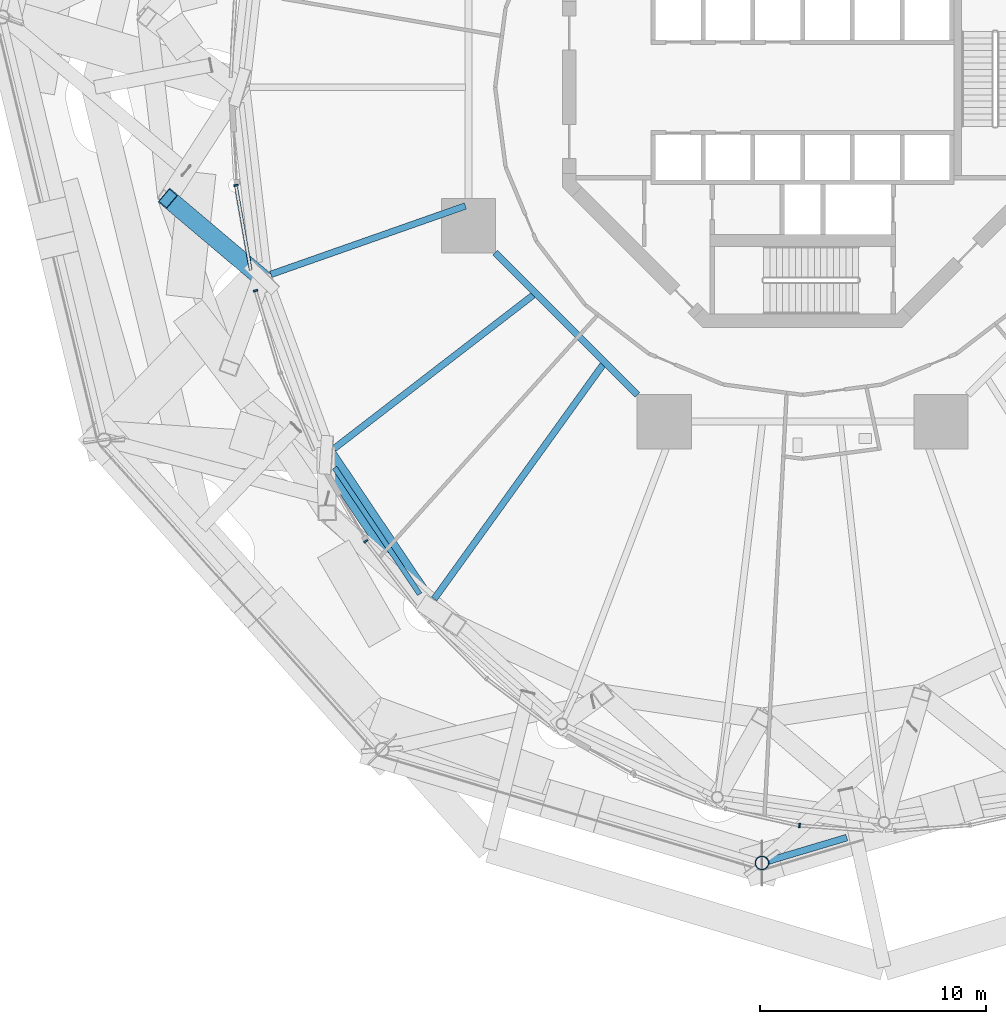
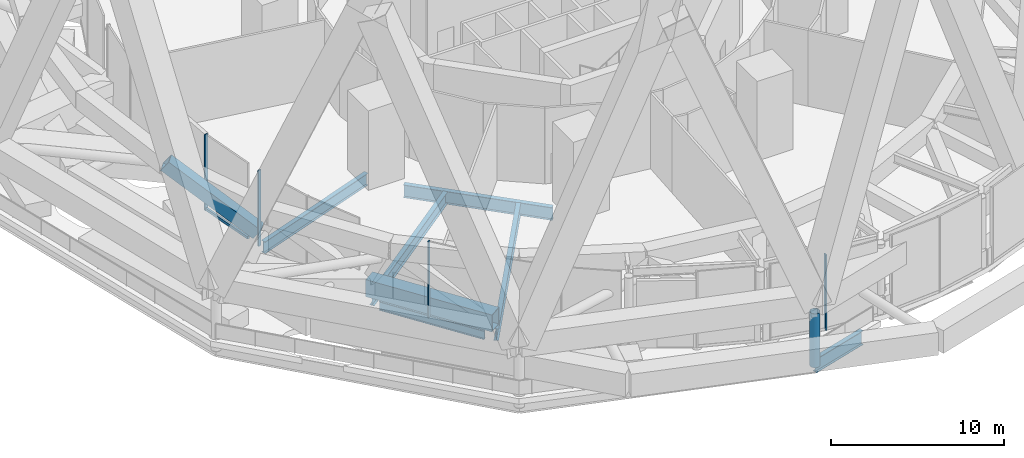
# One storey, part 7 of 51: 8 beams, 6 members, 4 elements without a shape of their own.
"""IFC4 building model written with IfcOpenShell, lengths in metres."""

from ifc_helpers import new_model, si_unit, direction, frame, origin, origin_2d, place, context, subcontext, project, spatial, rectangle, hollow_rectangle, hollow_circle, i_section, extrude, material, layer, layer_set, material_profile, profile_set, type_object, element, aggregate, save


model = new_model("IFC4")

# Units and contexts
model_context = context("Model", 3, precision=1e-05, world=origin(), true_north=direction((0.0, 1.0)))
body_context = subcontext(model_context, "Body", "Model", "MODEL_VIEW")
ifc_project = project(units=[si_unit("LENGTHUNIT", "METRE"), si_unit("AREAUNIT", "SQUARE_METRE"), si_unit("VOLUMEUNIT", "CUBIC_METRE"), si_unit("PLANEANGLEUNIT", "RADIAN"), si_unit("MASSUNIT", "GRAM", prefix="KILO")], contexts=[model_context])

# Site, building, storey
site_placement = place(None, origin())
site = spatial("IfcSite", under=ifc_project, at=site_placement, CompositionType="ELEMENT")
building_placement = place(site_placement, origin())
building = spatial("IfcBuilding", under=site, at=building_placement, Name="Nagisa Residences", CompositionType="ELEMENT")
storey_placement = place(building_placement, frame((0.0, 0.0, 67.699951171875)))
storey = spatial("IfcBuildingStorey", under=building, at=storey_placement, Name="L16", CompositionType="ELEMENT", Elevation=67.699951171875)

# Beams
ifc_material_1 = material(Name="Steel ASTM A572 Gr 50", Category="steel")
ifc_material_profile_1 = material_profile(ifc_material_1, hollow_rectangle(XDim=0.89990234375, YDim=1.199951171875, WallThickness=0.050048828125, at=origin_2d()), Name="BX 900x1200x50")
ifc_profile_set_1 = profile_set([ifc_material_profile_1], Name="Steel ASTM A572 Gr 50")
beam_type_1 = type_object("IfcBeamType", Name="Belt chord 1 BX 900x1200x50", PredefinedType="BEAM", material=ifc_profile_set_1)
beam_1_placement = place(storey_placement, frame((-21.081787109375, -16.25, 0.60009765625), z_axis=(0.558278389418, -0.829653686732, 0.0), x_axis=(0.829653686732, 0.558278389418, 0.0)))
element("IfcBeam", 1, at=beam_1_placement, inside=storey, type_object=beam_type_1, Name="beam:L16:bt1b15", PredefinedType="BEAM", context=body_context, shape_type="SweptSolid", body=[
    extrude(hollow_rectangle(XDim=0.89990234375, YDim=1.199951171875, WallThickness=0.050048828125, at=origin_2d()), origin(), (0.0, 0.0, 1.0), 8.113037109375),
])
ifc_material_2 = material(Name="Steel ASTM A572 Gr 50", Category="steel")
ifc_material_profile_2 = material_profile(ifc_material_2, hollow_rectangle(XDim=0.800048828125, YDim=0.800048828125, WallThickness=0.044921875, at=origin_2d()), Name="BX 800x800x45")
ifc_profile_set_2 = profile_set([ifc_material_profile_2], Name="Steel ASTM A572 Gr 50")
beam_type_2 = type_object("IfcBeamType", Name="Belt diagonal 1 BX 800x800x45", PredefinedType="BEAM", material=ifc_profile_set_2)
beam_2_placement = place(storey_placement, frame((-23.928955078125, -8.41162109375, 0.60009765625), z_axis=(-0.606789981609, 0.513346829619, 0.606861558133), x_axis=(-0.64587562924, -0.763442644574, 0.0)))
element("IfcBeam", 2, at=beam_2_placement, inside=storey, type_object=beam_type_2, Name="beam:L16:bt1da14", PredefinedType="BEAM", context=body_context, shape_type="SweptSolid", body=[
    extrude(hollow_rectangle(XDim=0.800048828125, YDim=0.800048828125, WallThickness=0.044921875, at=origin_2d()), origin(), (0.0, 0.0, 1.0), 6.82177734375),
])

# Curtain wall, member
ifc_material_3 = material(Name="Aluminium curtain wall system", Category="aluminium")
ifc_layer = layer(ifc_material_3, 0.159912109375)
ifc_layer_set = layer_set([ifc_layer], Name="CW2 CURTAIN WALL")
curtain_wall_type = type_object("IfcCurtainWallType", Name="CW2 CURTAIN WALL", PredefinedType="NOTDEFINED", material=ifc_layer_set)
curtain_wall_1_placement = place(storey_placement, origin())
curtain_wall_1 = element("IfcCurtainWall", 3, at=curtain_wall_1_placement, inside=storey, type_object=curtain_wall_type, Name="cw:CW2:L16:25", PredefinedType="NOTDEFINED")
ifc_material_4 = material(Name="Aluminium", Category="aluminium")
ifc_material_profile_3 = material_profile(ifc_material_4, rectangle(XDim=0.199951171875, YDim=0.080078125, at=origin_2d()), Name="CW2 MULLION 200x80")
ifc_profile_set_3 = profile_set([ifc_material_profile_3], Name="Aluminium")
member_type_1 = type_object("IfcMemberType", Name="CW2 MULLION 200x80", PredefinedType="MULLION", material=ifc_profile_set_3)
member_1_placement = place(storey_placement, frame((-25.066162109375, -4.3330078125, 0.0), z_axis=(0.0, 0.0, 1.0), x_axis=(0.985063604377, 0.172190868898, 0.0)))
member_1 = element("IfcMember", 4, at=member_1_placement, type_object=member_type_1, Name="CW2 mullion", PredefinedType="MULLION", context=body_context, shape_type="SweptSolid", body=[
    extrude(rectangle(XDim=0.199951171875, YDim=0.080078125, at=origin_2d()), origin(), (0.0, 0.0, 1.0), 5.340087890625),
])

curtain_wall_2_placement = place(storey_placement, origin())
curtain_wall_2 = element("IfcCurtainWall", 5, at=curtain_wall_2_placement, inside=storey, type_object=curtain_wall_type, Name="cw:CW2:L16:26", PredefinedType="NOTDEFINED")
member_2_placement = place(storey_placement, frame((-24.195068359375, -8.98779296875, 0.0), z_axis=(0.0, 0.0, 1.0), x_axis=(0.958271310082, 0.285860274038, 0.0)))
member_2 = element("IfcMember", 6, at=member_2_placement, type_object=member_type_1, Name="CW2 mullion", PredefinedType="MULLION", context=body_context, shape_type="SweptSolid", body=[
    extrude(rectangle(XDim=0.199951171875, YDim=0.080078125, at=origin_2d()), origin(), (0.0, 0.0, 1.0), 5.340087890625),
])
aggregate(curtain_wall_2, [member_2])

curtain_wall_3_placement = place(storey_placement, origin())
curtain_wall_3 = element("IfcCurtainWall", 7, at=curtain_wall_3_placement, inside=storey, type_object=curtain_wall_type, Name="cw:CW2:L16:29", PredefinedType="NOTDEFINED")
member_3_placement = place(storey_placement, frame((-19.319580078125, -20.072021484375, 0.0), z_axis=(0.0, 0.0, 1.0), x_axis=(0.792070340816, 0.610429828235, 0.0)))
member_3 = element("IfcMember", 8, at=member_3_placement, type_object=member_type_1, Name="CW2 mullion", PredefinedType="MULLION", context=body_context, shape_type="SweptSolid", body=[
    extrude(rectangle(XDim=0.199951171875, YDim=0.080078125, at=origin_2d()), origin(), (0.0, 0.0, 1.0), 5.340087890625),
])
aggregate(curtain_wall_3, [member_3])

curtain_wall_4_placement = place(storey_placement, origin())
curtain_wall_4 = element("IfcCurtainWall", 9, at=curtain_wall_4_placement, inside=storey, type_object=curtain_wall_type, Name="cw:CW2:L16:35", PredefinedType="NOTDEFINED")
member_4_placement = place(storey_placement, frame((-0.139404296875, -32.640869140625, 0.0), z_axis=(0.0, 0.0, 1.0), x_axis=(0.074377355493, 0.997230168512, 0.0)))
member_4 = element("IfcMember", 10, at=member_4_placement, type_object=member_type_1, Name="CW2 mullion", PredefinedType="MULLION", context=body_context, shape_type="SweptSolid", body=[
    extrude(rectangle(XDim=0.199951171875, YDim=0.080078125, at=origin_2d()), origin(), (0.0, 0.0, 1.0), 5.340087890625),
])
aggregate(curtain_wall_4, [member_4])

# Member
ifc_material_5 = material(Name="Aluminium", Category="aluminium")
ifc_material_profile_4 = material_profile(ifc_material_5, rectangle(XDim=0.139892578125, YDim=0.179931640625, at=origin_2d()), Name="CW2 TRANSOM 140x180")
ifc_profile_set_4 = profile_set([ifc_material_profile_4], Name="Aluminium")
member_type_2 = type_object("IfcMemberType", Name="CW2 TRANSOM 140x180", PredefinedType="USERDEFINED", material=ifc_profile_set_4)
member_5_placement = place(storey_placement, frame((-25.072998046875, -4.293701171875, 0.090087890625), z_axis=(0.172141761283, -0.985072187214, 0.0), x_axis=(0.985072187214, 0.172141761283, 0.0)))
member_5 = element("IfcMember", 11, at=member_5_placement, type_object=member_type_2, Name="CW2 transom", ObjectType="TRANSOM", PredefinedType="USERDEFINED", context=body_context, shape_type="SweptSolid", body=[
    extrude(rectangle(XDim=0.139892578125, YDim=0.179931640625, at=origin_2d()), origin(), (0.0, 0.0, 1.0), 3.84765625),
])

aggregate(curtain_wall_1, [member_1, member_5])

# Beam
ifc_material_6 = material(Name="Steel ASTM A572 Gr 50", Category="steel")
ifc_material_profile_5 = material_profile(ifc_material_6, i_section(OverallWidth=0.300048828125, OverallDepth=0.97998046875, WebThickness=0.0166015625, FlangeThickness=0.02587890625, at=origin_2d()), Name="W1000x249")
ifc_profile_set_5 = profile_set([ifc_material_profile_5], Name="Steel ASTM A572 Gr 50")
beam_type_3 = type_object("IfcBeamType", Name="Deck edge beam W1000x249", PredefinedType="BEAM", material=ifc_profile_set_5)
beam_3_placement = place(storey_placement, frame((-1.800048828125, -34.29736328125, -0.889892578125), z_axis=(0.958245797404, 0.285945784647, 0.0), x_axis=(-0.285945784647, 0.958245797404, 0.0)))
element("IfcBeam", 12, at=beam_3_placement, inside=storey, type_object=beam_type_3, Name="beam:L16:deckedge10", PredefinedType="BEAM", context=body_context, shape_type="SweptSolid", body=[
    extrude(i_section(OverallWidth=0.300048828125, OverallDepth=0.97998046875, WebThickness=0.0166015625, FlangeThickness=0.02587890625, at=origin_2d()), origin(), (0.0, 0.0, 1.0), 3.914794921875),
])

# Member
ifc_material_7 = material(Name="Steel ASTM A572 Gr 65", Category="steel")
ifc_material_profile_6 = material_profile(ifc_material_7, hollow_circle(Radius=0.304931640625, WallThickness=0.02490234375, at=origin_2d()), Name="CHS 610x25")
ifc_profile_set_6 = profile_set([ifc_material_profile_6], Name="Steel ASTM A572 Gr 65")
member_type_3 = type_object("IfcMemberType", Name="Deck hanger CHS 610x25", PredefinedType="POST", material=ifc_profile_set_6)
member_6_placement = place(storey_placement, frame((-1.800048828125, -34.29736328125, 2.900146484375), z_axis=(0.0, 0.0, -1.0), x_axis=(1.0, 0.0, 0.0)))
element("IfcMember", 13, at=member_6_placement, inside=storey, type_object=member_type_3, Name="mem:L16:deckhanger09", PredefinedType="POST", context=body_context, shape_type="SweptSolid", body=[
    extrude(hollow_circle(Radius=0.304931640625, WallThickness=0.02490234375, at=origin_2d()), origin(), (0.0, 0.0, 1.0), 3.7900390625),
])

# Beams
ifc_material_8 = material(Name="Steel ASTM A572 Gr 50", Category="steel")
ifc_material_profile_7 = material_profile(ifc_material_8, i_section(OverallWidth=0.303955078125, OverallDepth=0.903076171875, WebThickness=0.01513671875, FlangeThickness=0.02001953125, at=origin_2d()), Name="W920x201")
ifc_profile_set_7 = profile_set([ifc_material_profile_7], Name="Steel ASTM A572 Gr 50")
beam_type_4 = type_object("IfcBeamType", Name="Inner ring beam W920x201", PredefinedType="BEAM", material=ifc_profile_set_7)
beam_4_placement = place(storey_placement, frame((-13.59619140625, -7.308837890625, -0.801513671875), z_axis=(0.707106781187, -0.707106781187, 0.0), x_axis=(0.707106781187, 0.707106781187, 0.0)))
element("IfcBeam", 14, at=beam_4_placement, inside=storey, type_object=beam_type_4, Name="beam:L16:ib5", PredefinedType="BEAM", context=body_context, shape_type="SweptSolid", body=[
    extrude(i_section(OverallWidth=0.303955078125, OverallDepth=0.903076171875, WebThickness=0.01513671875, FlangeThickness=0.02001953125, at=origin_2d()), origin(), (0.0, 0.0, 1.0), 8.8916015625),
])
ifc_material_9 = material(Name="Steel ASTM A572 Gr 50", Category="steel")
ifc_material_profile_8 = material_profile(ifc_material_9, i_section(OverallWidth=0.22900390625, OverallDepth=0.612060546875, WebThickness=0.011962890625, FlangeThickness=0.01953125, at=origin_2d()), Name="W610x125")
ifc_profile_set_8 = profile_set([ifc_material_profile_8], Name="Steel ASTM A572 Gr 50")
beam_type_5 = type_object("IfcBeamType", Name="Perimeter ring beam W610x125", PredefinedType="BEAM", material=ifc_profile_set_8)
beam_5_placement = place(storey_placement, frame((-20.69921875, -16.818603515625, -0.656005859375), z_axis=(0.558296806041, -0.829641293792, 0.0), x_axis=(0.829641293792, 0.558296806041, 0.0)))
element("IfcBeam", 15, at=beam_5_placement, inside=storey, type_object=beam_type_5, Name="beam:L16:pb15", PredefinedType="BEAM", context=body_context, shape_type="SweptSolid", body=[
    extrude(i_section(OverallWidth=0.22900390625, OverallDepth=0.612060546875, WebThickness=0.011962890625, FlangeThickness=0.01953125, at=origin_2d()), origin(), (0.0, 0.0, 1.0), 6.74169921875),
])
ifc_material_10 = material(Name="Steel ASTM A572 Gr 50", Category="steel")
ifc_material_profile_9 = material_profile(ifc_material_10, i_section(OverallWidth=0.2919921875, OverallDepth=0.8349609375, WebThickness=0.013916015625, FlangeThickness=0.018798828125, at=origin_2d()), Name="W840x176")
ifc_profile_set_9 = profile_set([ifc_material_profile_9], Name="Steel ASTM A572 Gr 50")
beam_type_6 = type_object("IfcBeamType", Name="Radial beam W840x176", PredefinedType="BEAM", material=ifc_profile_set_9)
beam_6_placement = place(storey_placement, frame((-23.520751953125, -8.26806640625, -0.767333984375), z_axis=(0.943413526471, 0.331618633482, 0.0), x_axis=(-0.331618633482, 0.943413526471, 0.0)))
element("IfcBeam", 16, at=beam_6_placement, inside=storey, type_object=beam_type_6, Name="beam:L16:rb14", PredefinedType="BEAM", context=body_context, shape_type="SweptSolid", body=[
    extrude(i_section(OverallWidth=0.2919921875, OverallDepth=0.8349609375, WebThickness=0.013916015625, FlangeThickness=0.018798828125, at=origin_2d()), origin(), (0.0, 0.0, 1.0), 9.12158203125),
])
beam_7_placement = place(storey_placement, frame((-20.73486328125, -15.982666015625, -0.767333984375), z_axis=(0.792012625374, 0.610504710259, 0.0), x_axis=(-0.610504710259, 0.792012625374, 0.0)))
element("IfcBeam", 17, at=beam_7_placement, inside=storey, type_object=beam_type_6, Name="beam:L16:rb15", PredefinedType="BEAM", context=body_context, shape_type="SweptSolid", body=[
    extrude(i_section(OverallWidth=0.2919921875, OverallDepth=0.8349609375, WebThickness=0.013916015625, FlangeThickness=0.018798828125, at=origin_2d()), origin(), (0.0, 0.0, 1.0), 11.14111328125),
])
beam_8_placement = place(storey_placement, frame((-16.29443359375, -22.62255859375, -0.767333984375), z_axis=(0.584461855751, 0.811421184819, 0.0), x_axis=(-0.811421184819, 0.584461855751, 0.0)))
element("IfcBeam", 18, at=beam_8_placement, inside=storey, type_object=beam_type_6, Name="beam:L16:rb16", PredefinedType="BEAM", context=body_context, shape_type="SweptSolid", body=[
    extrude(i_section(OverallWidth=0.2919921875, OverallDepth=0.8349609375, WebThickness=0.013916015625, FlangeThickness=0.018798828125, at=origin_2d()), origin(), (0.0, 0.0, 1.0), 12.769775390625),
])

save(model, "model.ifc")
